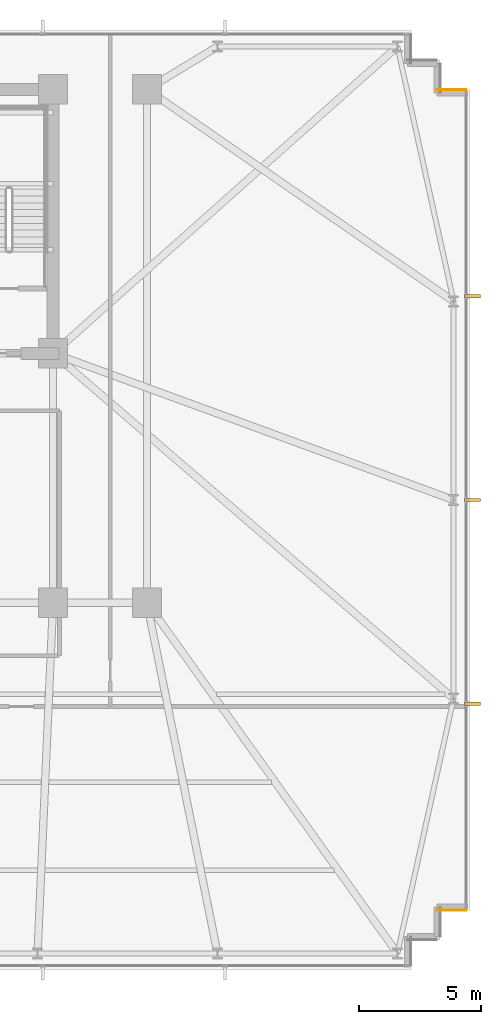
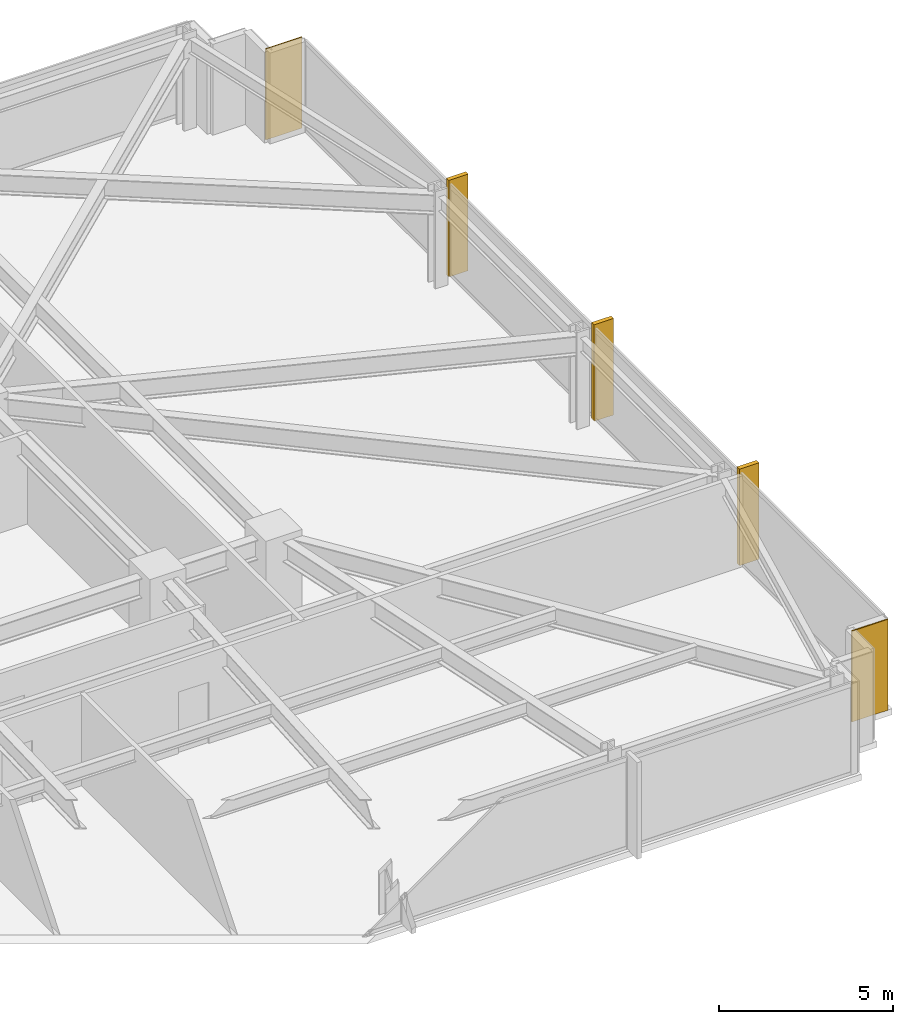
# One storey, part 32 of 32: 3 shading devices, 2 coverings.
"""IFC4 building model written with IfcOpenShell, lengths in metres."""

from ifc_helpers import new_model, si_unit, direction, frame, frame_2d, origin, origin_2d, place, context, subcontext, project, spatial, rectangle, extrude, material, layer, layer_set, type_object, element, save


model = new_model("IFC4")

# Units and contexts
model_context = context("Model", 3, precision=1e-05, world=origin(), true_north=direction((0.0, 1.0)))
body_context = subcontext(model_context, "Body", "Model", "MODEL_VIEW")
ifc_project = project(units=[si_unit("LENGTHUNIT", "METRE"), si_unit("AREAUNIT", "SQUARE_METRE"), si_unit("VOLUMEUNIT", "CUBIC_METRE"), si_unit("PLANEANGLEUNIT", "RADIAN"), si_unit("MASSUNIT", "GRAM", prefix="KILO")], contexts=[model_context])

# Site, building, storey
site_placement = place(None, origin())
site = spatial("IfcSite", under=ifc_project, at=site_placement, CompositionType="ELEMENT")
building_placement = place(site_placement, origin())
building = spatial("IfcBuilding", under=site, at=building_placement, Name="Yelkora Congress Tower", CompositionType="ELEMENT")
storey_placement = place(building_placement, frame((0.0, 0.0, 40.60009765625)))
storey = spatial("IfcBuildingStorey", under=building, at=storey_placement, Name="L09", CompositionType="ELEMENT", Elevation=40.60009765625)

# Coverings
ifc_material_1 = material(Name="Anatolian bush-hammered limestone", Category="masonry")
ifc_layer_1 = layer(ifc_material_1, 0.0400390625)
ifc_layer_set_1 = layer_set([ifc_layer_1], Name="Anatolian bush-hammered limestone")
covering_type = type_object("IfcCoveringType", Name="COV-CLAD-SPANDREL-40", PredefinedType="CLADDING", material=ifc_layer_set_1)
for number, where, z_axis, x_axis, name in (
    (1, (69.4599609375, 46.195068359375, 0.0), (0.0, 0.0, 1.0), (1.0, 0.0, 0.0), "L09 Anatolian Limestone Cladding EW-L09-SR14"),
    (2, (70.659912109375, 12.60498046875, 0.0), (0.0, 0.0, 1.0), (-1.0, 0.0, 0.0), "L09 Anatolian Limestone Cladding EW-L09-SR16"),
):
    element("IfcCovering", number, at=place(storey_placement, frame(where, z_axis=z_axis, x_axis=x_axis)), inside=storey, type_object=covering_type, Name=name, PredefinedType="CLADDING", context=body_context, shape_type="SweptSolid", body=[
        extrude(rectangle(XDim=1.199951171875, YDim=0.0400390625, at=frame_2d((0.60009765625, 0.0))), origin(), (0.0, 0.0, 1.0), 3.179931640625),
    ])

# Shading devices
ifc_material_2 = material(Name="Champagne anodised aluminium", Category="aluminium")
ifc_layer_2 = layer(ifc_material_2, 3.39990234375)
ifc_layer_set_2 = layer_set([ifc_layer_2], Name="Champagne anodised aluminium")
shading_device_type = type_object("IfcShadingDeviceType", Name="SHD-FIN-ALU-640", PredefinedType="USERDEFINED", material=ifc_layer_set_2)
for number, where, z_axis, x_axis, name in (
    (3, (70.919921875, 37.72998046875, -0.030029296875), (0.0, 0.0, 1.0), (0.0, -1.0, 0.0), "L09 Vertical Anodised Solar Fin 15-1"),
    (4, (70.919921875, 29.39990234375, -0.030029296875), (0.0, 0.0, 1.0), (0.0, -1.0, 0.0), "L09 Vertical Anodised Solar Fin 15-2"),
    (5, (70.919921875, 21.070068359375, -0.030029296875), (0.0, 0.0, 1.0), (0.0, -1.0, 0.0), "L09 Vertical Anodised Solar Fin 15-3"),
):
    element("IfcShadingDevice", number, at=place(storey_placement, frame(where, z_axis=z_axis, x_axis=x_axis)), inside=storey, type_object=shading_device_type, Name=name, ObjectType="FIN", PredefinedType="USERDEFINED", context=body_context, shape_type="SweptSolid", body=[
        extrude(rectangle(XDim=0.139892578125, YDim=0.639892578125, at=origin_2d()), origin(), (0.0, 0.0, 1.0), 3.3798828125),
    ])

save(model, "model.ifc")
